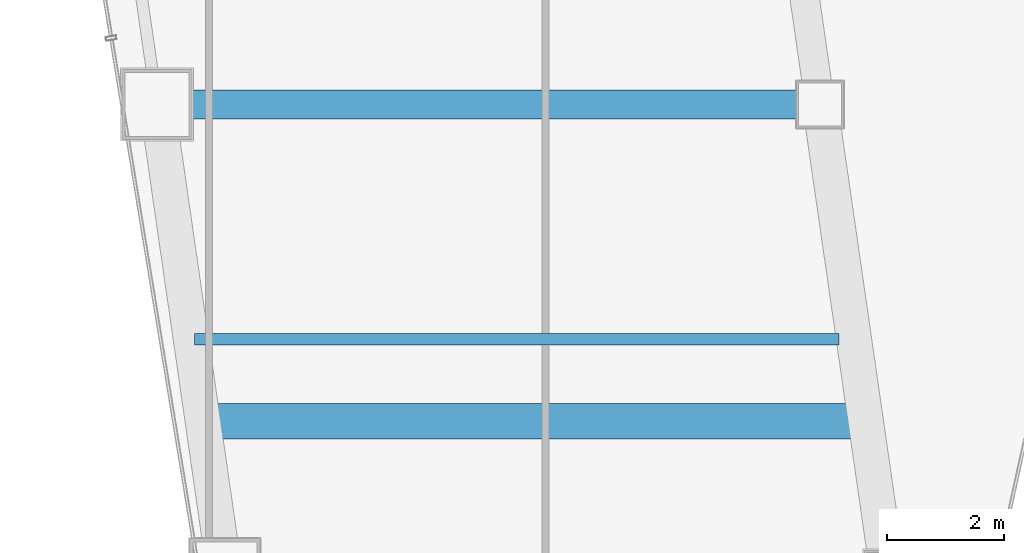
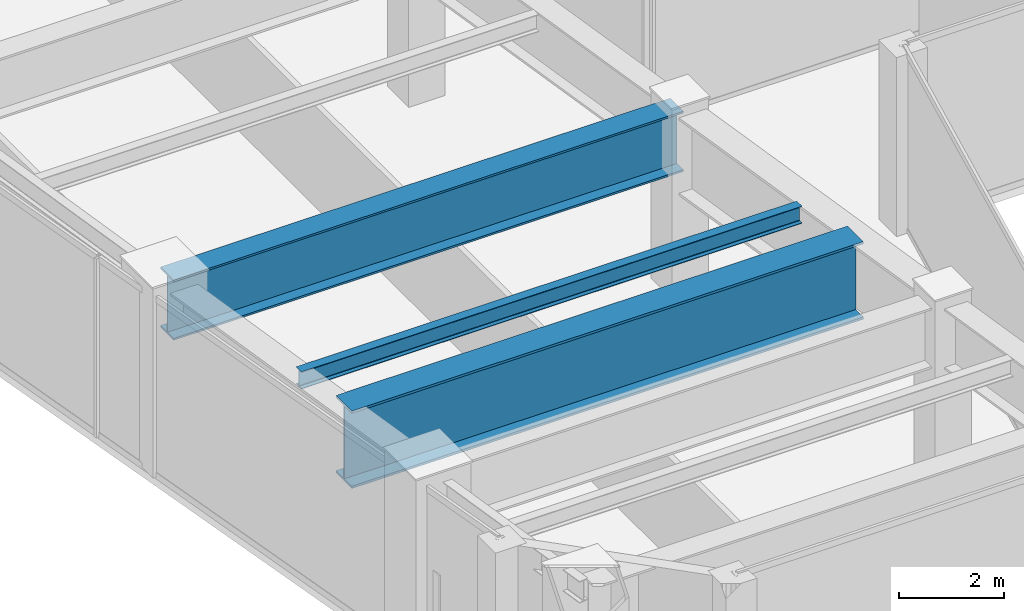
# One storey, part 6 of 40: 3 beams.
"""IFC4 building model written with IfcOpenShell, lengths in metres."""

from ifc_helpers import new_model, si_unit, direction, frame, origin, origin_2d, place, context, subcontext, project, spatial, i_section, extrude, material, material_profile, profile_set, type_object, element, save


model = new_model("IFC4")

# Units and contexts
model_context = context("Model", 3, precision=1e-05, world=origin(), true_north=direction((0.0, 1.0)))
body_context = subcontext(model_context, "Body", "Model", "MODEL_VIEW")
ifc_project = project(units=[si_unit("LENGTHUNIT", "METRE"), si_unit("AREAUNIT", "SQUARE_METRE"), si_unit("VOLUMEUNIT", "CUBIC_METRE"), si_unit("PLANEANGLEUNIT", "RADIAN"), si_unit("MASSUNIT", "GRAM", prefix="KILO")], contexts=[model_context])

# Site, building, storey
site_placement = place(None, origin())
site = spatial("IfcSite", under=ifc_project, at=site_placement, CompositionType="ELEMENT")
building_placement = place(site_placement, origin())
building = spatial("IfcBuilding", under=site, at=building_placement, Name="Saevonmaru Cultural Tower", CompositionType="ELEMENT")
storey_placement = place(building_placement, frame((0.0, 0.0, 97.199951171875)))
storey = spatial("IfcBuildingStorey", under=building, at=storey_placement, Name="L20", CompositionType="ELEMENT", Elevation=97.199951171875)

# Beams
ifc_material_1 = material(Name="Steel SM355", Category="steel")
ifc_material_profile_1 = material_profile(ifc_material_1, i_section(OverallWidth=0.199951171875, OverallDepth=0.39990234375, WebThickness=0.008056640625, FlangeThickness=0.012939453125, FilletRadius=0.01611328125, at=origin_2d()), Name="H-400x200x8x13")
ifc_profile_set_1 = profile_set([ifc_material_profile_1], Name="Steel SM355")
beam_type_1 = type_object("IfcBeamType", Name="BM-J-H400", PredefinedType="JOIST", material=ifc_profile_set_1)
beam_1_placement = place(storey_placement, frame((11.265380859375, 12.0, 3.949951171875), z_axis=(1.0, 0.0, 0.0), x_axis=(0.0, 1.0, 0.0)))
element("IfcBeam", 1, at=beam_1_placement, inside=storey, type_object=beam_type_1, Name="L20 West Wing Floor Joist 2", PredefinedType="JOIST", context=body_context, shape_type="SweptSolid", body=[
    extrude(i_section(OverallWidth=0.199951171875, OverallDepth=0.39990234375, WebThickness=0.008056640625, FlangeThickness=0.012939453125, FilletRadius=0.01611328125, at=origin_2d()), origin(), (0.0, 0.0, 1.0), 10.982177734375),
])
ifc_material_2 = material(Name="Steel HSA600 (600 MPa)", Category="steel")
ifc_material_profile_2 = material_profile(ifc_material_2, i_section(OverallWidth=0.5, OverallDepth=1.39990234375, WebThickness=0.02392578125, FlangeThickness=0.044921875, at=origin_2d()), Name="PG-1400x500x24x45")
ifc_profile_set_2 = profile_set([ifc_material_profile_2], Name="Steel HSA600 (600 MPa)")
beam_type_2 = type_object("IfcBeamType", Name="BM-TG-PG1400", PredefinedType="BEAM", material=ifc_profile_set_2)
beam_2_placement = place(storey_placement, frame((10.68798828125, 16.0, 3.449951171875), z_axis=(1.0, 0.0, 0.0), x_axis=(0.0, 1.0, 0.0)))
element("IfcBeam", 2, at=beam_2_placement, inside=storey, type_object=beam_type_2, Name="L20 West Wing Transverse Girder 3", PredefinedType="BEAM", context=body_context, shape_type="SweptSolid", body=[
    extrude(i_section(OverallWidth=0.5, OverallDepth=1.39990234375, WebThickness=0.02392578125, FlangeThickness=0.044921875, at=origin_2d()), origin(), (0.0, 0.0, 1.0), 11.179931640625),
])
ifc_material_profile_3 = material_profile(ifc_material_2, i_section(OverallWidth=0.60009765625, OverallDepth=1.800048828125, WebThickness=0.028076171875, FlangeThickness=0.054931640625, at=origin_2d()), Name="PG-1800x600x28x55")
ifc_profile_set_3 = profile_set([ifc_material_profile_3], Name="Steel HSA600 (600 MPa)")
beam_type_3 = type_object("IfcBeamType", Name="BM-TG-PG1800", PredefinedType="BEAM", material=ifc_profile_set_3)
beam_3_placement = place(storey_placement, frame((11.447509765625, 10.60009765625, 3.25), z_axis=(1.0, 0.0, 0.0), x_axis=(0.0, 1.0, 0.0)))
element("IfcBeam", 3, at=beam_3_placement, inside=storey, type_object=beam_type_3, Name="L20 Setback Transfer Plate Girder West", PredefinedType="BEAM", context=body_context, shape_type="SweptSolid", body=[
    extrude(i_section(OverallWidth=0.60009765625, OverallDepth=1.800048828125, WebThickness=0.028076171875, FlangeThickness=0.054931640625, at=origin_2d()), origin(), (0.0, 0.0, 1.0), 11.219970703125),
])

save(model, "model.ifc")
